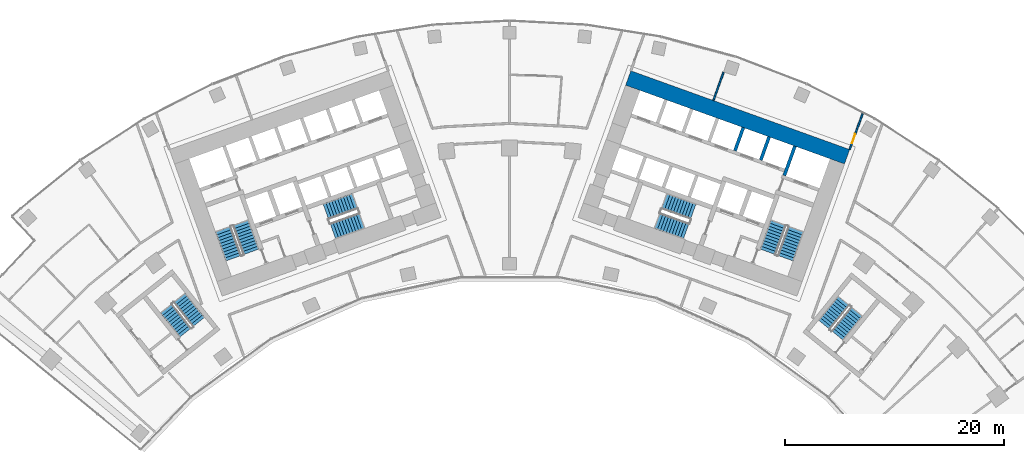
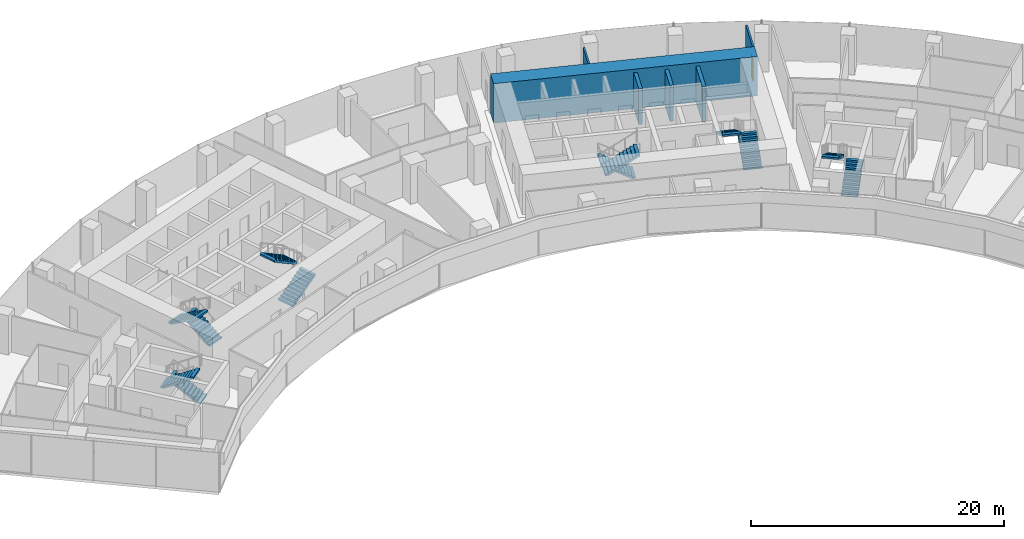
# One storey, part 18 of 20: 12 stair flights, 6 walls, 1 door, 1 opening, 6 elements without a shape of their own.
"""IFC4 building model written with IfcOpenShell, lengths in metres."""

from ifc_helpers import new_model, si_unit, direction, frame, frame_2d, origin, place, context, subcontext, project, spatial, polyline, rectangle, outline, extrude, material, layer, layer_set, type_object, element, fill, aggregate, save


model = new_model("IFC4")

# Units and contexts
model_context = context("Model", 3, precision=1e-05, world=origin(), true_north=direction((0.0, 1.0)))
body_context = subcontext(model_context, "Body", "Model", "MODEL_VIEW")
ifc_project = project(units=[si_unit("LENGTHUNIT", "METRE"), si_unit("AREAUNIT", "SQUARE_METRE"), si_unit("VOLUMEUNIT", "CUBIC_METRE"), si_unit("PLANEANGLEUNIT", "RADIAN"), si_unit("MASSUNIT", "GRAM", prefix="KILO")], contexts=[model_context])

# Site, building, storey
site_placement = place(None, origin())
site = spatial("IfcSite", under=ifc_project, at=site_placement, CompositionType="ELEMENT")
building_placement = place(site_placement, origin())
building = spatial("IfcBuilding", under=site, at=building_placement, Name="Stone Belt Terrace Tower", CompositionType="ELEMENT")
storey_placement = place(building_placement, frame((0.0, 0.0, 106.0)))
storey = spatial("IfcBuildingStorey", under=building, at=storey_placement, Name="L25", CompositionType="ELEMENT", Elevation=106.0)

# Walls
ifc_material_1 = material(Name="Concrete B80", Category="concrete")
ifc_layer_1 = layer(ifc_material_1, 1.39990234375)
ifc_layer_set_1 = layer_set([ifc_layer_1], Name="Core wall 1400 B80")
wall_type_1 = type_object("IfcWallType", Name="Core wall 1400 B80", PredefinedType="SHEAR", material=ifc_layer_set_1)
wall_1_placement = place(storey_placement, frame((10.81787109375, 61.362060546875, 0.0), z_axis=(0.0, 0.0, 1.0), x_axis=(0.940919704758, -0.338629752382, 0.0)))
element("IfcWall", 1, at=wall_1_placement, inside=storey, type_object=wall_type_1, Name="Core B wall convex L25", PredefinedType="SHEAR", context=body_context, shape_type="SweptSolid", body=[
    extrude(rectangle(XDim=21.199951171875, YDim=1.39990234375, at=frame_2d((10.60009765625, 0.0))), origin(), (0.0, 0.0, 1.0), 3.800048828125),
])
ifc_layer_2 = layer(ifc_material_1, 0.300048828125)
ifc_layer_set_2 = layer_set([ifc_layer_2], Name="Lift shaft wall 300")
wall_type_2 = type_object("IfcWallType", Name="Lift shaft wall 300", PredefinedType="SHEAR", material=ifc_layer_set_2)
wall_2_placement = place(storey_placement, frame((25.046875, 52.46826171875, 0.0), z_axis=(0.0, 0.0, 1.0), x_axis=(0.338549588058, 0.940948551423, 0.0)))
element("IfcWall", 2, at=wall_2_placement, inside=storey, type_object=wall_type_2, Name="Core B wall", PredefinedType="SHEAR", context=body_context, shape_type="SweptSolid", body=[
    extrude(rectangle(XDim=2.849853515625, YDim=0.300048828125, at=frame_2d((1.4248046875, 0.0))), origin(), (0.0, 0.0, 1.0), 3.47998046875),
])
wall_3_placement = place(storey_placement, frame((22.897705078125, 53.87939453125, 0.0), z_axis=(0.0, 0.0, 1.0), x_axis=(0.338535034312, 0.940953787677, 0.0)))
element("IfcWall", 3, at=wall_3_placement, inside=storey, type_object=wall_type_2, Name="Core B wall", PredefinedType="SHEAR", context=body_context, shape_type="SweptSolid", body=[
    extrude(rectangle(XDim=2.25, YDim=0.300048828125, at=frame_2d((1.125, 0.0))), origin(), (0.0, 0.0, 1.0), 3.47998046875),
])
wall_4_placement = place(storey_placement, frame((20.54541015625, 54.72607421875, 0.0), z_axis=(0.0, 0.0, 1.0), x_axis=(0.338569601369, 0.940941350472, 0.0)))
element("IfcWall", 4, at=wall_4_placement, inside=storey, type_object=wall_type_2, Name="Core B wall", PredefinedType="SHEAR", context=body_context, shape_type="SweptSolid", body=[
    extrude(rectangle(XDim=2.249755859375, YDim=0.300048828125, at=frame_2d((1.125, 0.0))), origin(), (0.0, 0.0, 1.0), 3.47998046875),
])

# Wall, opening, door
ifc_material_2 = material(Name="Gypsum board partition")
ifc_layer_3 = layer(ifc_material_2, 0.14990234375)
ifc_layer_set_3 = layer_set([ifc_layer_3], Name="PARTITION 150 EI 60")
wall_type_3 = type_object("IfcWallType", Name="PARTITION 150 EI 60", PredefinedType="PARTITIONING", material=ifc_layer_set_3)
wall_5_placement = place(storey_placement, frame((31.001953125, 54.842041015625, 0.0), z_axis=(0.0, 0.0, 1.0), x_axis=(0.338662585219, 0.940907887826, 0.0)))
wall_5 = element("IfcWall", 5, at=wall_5_placement, inside=storey, type_object=wall_type_3, Name="L25/wall/i019", PredefinedType="PARTITIONING", context=body_context, shape_type="SweptSolid", body=[
    extrude(rectangle(XDim=3.49560546875, YDim=0.14990234375, at=frame_2d((1.747802734375, 0.0))), origin(), (0.0, 0.0, 1.0), 3.47998046875),
])
opening_placement = place(wall_5_placement, frame((0.599365234375, 0.0, 0.0)))
opening = element("IfcOpeningElement", 6, at=opening_placement, cuts=wall_5, Name="Opening D-B3-08", PredefinedType="OPENING", context=body_context, shape_type="SweptSolid", body=[
    extrude(rectangle(XDim=0.89990234375, YDim=2.10009765625, at=frame_2d((0.449951171875, 1.050048828125))), frame((0.0, 0.0849609375, 0.0), z_axis=(0.0, -1.0, 0.0), x_axis=(1.0, 0.0, 0.0)), (0.0, 0.0, 1.0), 0.169921875),
])
ifc_material_3 = material(Name="Timber door leaf", Category="wood")
door_type = type_object("IfcDoorType", Name="OFFICE DOOR 900 X 2100", OperationType="NOTDEFINED", PredefinedType="DOOR", material=ifc_material_3)
door_placement = place(opening_placement, origin())
door = element("IfcDoor", 7, at=door_placement, inside=storey, type_object=door_type, Name="L25/door/i08", OperationType="SINGLE_SWING_LEFT", OverallHeight=2.10009765625, OverallWidth=0.89990234375, PredefinedType="DOOR", context=body_context, shape_type="SweptSolid", body=[
    extrude(rectangle(XDim=0.89990234375, YDim=2.10009765625, at=frame_2d((0.449951171875, 1.050048828125))), frame((0.0, 0.02490234375, 0.0), z_axis=(0.0, -1.0, 0.0), x_axis=(1.0, 0.0, 0.0)), (0.0, 0.0, 1.0), 0.050048828125),
])
fill(opening, door)

# Wall
wall_6_placement = place(storey_placement, frame((19.505859375, 61.885009765625, 0.0), z_axis=(0.0, 0.0, 1.0), x_axis=(-0.338672028619, -0.940904488793, 0.0)))
element("IfcWall", 8, at=wall_6_placement, inside=storey, type_object=wall_type_3, Name="L25/wall/i027", PredefinedType="PARTITIONING", context=body_context, shape_type="SweptSolid", body=[
    extrude(rectangle(XDim=2.733642578125, YDim=0.14990234375, at=frame_2d((1.36669921875, 0.0))), origin(), (0.0, 0.0, 1.0), 3.47998046875),
])

# Stair, stair flights
ifc_material_4 = material(Name="Concrete B40", Category="concrete")
stair_type = type_object("IfcStairType", Name="Exit stair 1500", PredefinedType="HALF_TURN_STAIR", material=ifc_material_4)
stair_1_placement = place(storey_placement, origin())
stair_1 = element("IfcStair", 9, at=stair_1_placement, inside=storey, type_object=stair_type, Name="L25 Exit stair 1 core A", PredefinedType="HALF_TURN_STAIR")
stair_flight_type = type_object("IfcStairFlightType", Name="Stair flight 1500", PredefinedType="STRAIGHT", material=ifc_material_4)
stair_flight_1_placement = place(storey_placement, frame((-23.55322265625, 45.51318359375, 0.0), z_axis=(0.0, 0.0, 1.0), x_axis=(-0.338624396177, 0.940921632398, 0.0)))
stair_flight_1 = element("IfcStairFlight", 10, at=stair_flight_1_placement, type_object=stair_flight_type, Name="ST1A flight 1", NumberOfRisers=11, NumberOfTreads=10, PredefinedType="STRAIGHT", RiserHeight=0.172727273, TreadLength=0.28, context=body_context, shape_type="SweptSolid", body=[
    extrude(outline(polyline([(0.0, 0.0), (0.0, 0.172607421875), (0.280029296875, 0.172607421875), (0.280029296875, 0.345458984375), (0.56005859375, 0.345458984375), (0.56005859375, 0.51806640625), (0.840087890625, 0.51806640625), (0.840087890625, 0.69091796875), (1.1201171875, 0.69091796875), (1.1201171875, 0.863525390625), (1.39990234375, 0.863525390625), (1.39990234375, 1.036376953125), (1.679931640625, 1.036376953125), (1.679931640625, 1.208984375), (1.9599609375, 1.208984375), (1.9599609375, 1.3818359375), (2.239990234375, 1.3818359375), (2.239990234375, 1.554443359375), (2.52001953125, 1.554443359375), (2.52001953125, 1.727294921875), (2.800048828125, 1.727294921875), (2.800048828125, 1.89990234375), (2.800048828125, 1.551025390625), (0.285400390625, 0.0), (0.0, 0.0)])), frame((0.0, 0.75, 0.0), z_axis=(0.0, -1.0, 0.0), x_axis=(1.0, 0.0, 0.0)), (0.0, 0.0, 1.0), 1.5),
])
stair_flight_2_placement = place(storey_placement, frame((-26.10107421875, 47.572021484375, 1.89990234375), z_axis=(0.0, 0.0, 1.0), x_axis=(0.338624396177, -0.940921632398, 0.0)))
stair_flight_2 = element("IfcStairFlight", 11, at=stair_flight_2_placement, type_object=stair_flight_type, Name="ST1A flight 2", NumberOfRisers=11, NumberOfTreads=10, PredefinedType="STRAIGHT", RiserHeight=0.172727273, TreadLength=0.28, context=body_context, shape_type="SweptSolid", body=[
    extrude(outline(polyline([(0.0, 0.0), (0.0, 0.172607421875), (0.280029296875, 0.172607421875), (0.280029296875, 0.345458984375), (0.56005859375, 0.345458984375), (0.56005859375, 0.51806640625), (0.840087890625, 0.51806640625), (0.840087890625, 0.69091796875), (1.1201171875, 0.69091796875), (1.1201171875, 0.863525390625), (1.39990234375, 0.863525390625), (1.39990234375, 1.036376953125), (1.679931640625, 1.036376953125), (1.679931640625, 1.208984375), (1.9599609375, 1.208984375), (1.9599609375, 1.3818359375), (2.239990234375, 1.3818359375), (2.239990234375, 1.554443359375), (2.52001953125, 1.554443359375), (2.52001953125, 1.727294921875), (2.800048828125, 1.727294921875), (2.800048828125, 1.89990234375), (2.800048828125, 1.551025390625), (0.285400390625, 0.0), (0.0, 0.0)])), frame((0.0, 0.75, 0.0), z_axis=(0.0, -1.0, 0.0), x_axis=(1.0, 0.0, 0.0)), (0.0, 0.0, 1.0), 1.5),
])
aggregate(stair_1, [stair_flight_1, stair_flight_2])

stair_2_placement = place(storey_placement, origin())
stair_2 = element("IfcStair", 12, at=stair_2_placement, inside=storey, type_object=stair_type, Name="L25 Exit stair 2 core A", PredefinedType="HALF_TURN_STAIR")
stair_flight_3_placement = place(storey_placement, frame((-16.101318359375, 47.39794921875, 0.0), z_axis=(0.0, 0.0, 1.0), x_axis=(0.940921632398, 0.338624396177, 0.0)))
stair_flight_3 = element("IfcStairFlight", 13, at=stair_flight_3_placement, type_object=stair_flight_type, Name="ST2A flight 1", NumberOfRisers=11, NumberOfTreads=10, PredefinedType="STRAIGHT", RiserHeight=0.172727273, TreadLength=0.28, context=body_context, shape_type="SweptSolid", body=[
    extrude(outline(polyline([(0.0, 0.0), (0.0, 0.172607421875), (0.280029296875, 0.172607421875), (0.280029296875, 0.345458984375), (0.56005859375, 0.345458984375), (0.56005859375, 0.51806640625), (0.840087890625, 0.51806640625), (0.840087890625, 0.69091796875), (1.1201171875, 0.69091796875), (1.1201171875, 0.863525390625), (1.39990234375, 0.863525390625), (1.39990234375, 1.036376953125), (1.679931640625, 1.036376953125), (1.679931640625, 1.208984375), (1.9599609375, 1.208984375), (1.9599609375, 1.3818359375), (2.239990234375, 1.3818359375), (2.239990234375, 1.554443359375), (2.52001953125, 1.554443359375), (2.52001953125, 1.727294921875), (2.800048828125, 1.727294921875), (2.800048828125, 1.89990234375), (2.800048828125, 1.551025390625), (0.285400390625, 0.0), (0.0, 0.0)])), frame((0.0, 0.75, 0.0), z_axis=(0.0, -1.0, 0.0), x_axis=(1.0, 0.0, 0.0)), (0.0, 0.0, 1.0), 1.5),
])
stair_flight_4_placement = place(storey_placement, frame((-14.110107421875, 50.1337890625, 1.89990234375), z_axis=(0.0, 0.0, 1.0), x_axis=(-0.940921632398, -0.338624396177, 0.0)))
stair_flight_4 = element("IfcStairFlight", 14, at=stair_flight_4_placement, type_object=stair_flight_type, Name="ST2A flight 2", NumberOfRisers=11, NumberOfTreads=10, PredefinedType="STRAIGHT", RiserHeight=0.172727273, TreadLength=0.28, context=body_context, shape_type="SweptSolid", body=[
    extrude(outline(polyline([(0.0, 0.0), (0.0, 0.172607421875), (0.280029296875, 0.172607421875), (0.280029296875, 0.345458984375), (0.56005859375, 0.345458984375), (0.56005859375, 0.51806640625), (0.840087890625, 0.51806640625), (0.840087890625, 0.69091796875), (1.1201171875, 0.69091796875), (1.1201171875, 0.863525390625), (1.39990234375, 0.863525390625), (1.39990234375, 1.036376953125), (1.679931640625, 1.036376953125), (1.679931640625, 1.208984375), (1.9599609375, 1.208984375), (1.9599609375, 1.3818359375), (2.239990234375, 1.3818359375), (2.239990234375, 1.554443359375), (2.52001953125, 1.554443359375), (2.52001953125, 1.727294921875), (2.800048828125, 1.727294921875), (2.800048828125, 1.89990234375), (2.800048828125, 1.551025390625), (0.285400390625, 0.0), (0.0, 0.0)])), frame((0.0, 0.75, 0.0), z_axis=(0.0, -1.0, 0.0), x_axis=(1.0, 0.0, 0.0)), (0.0, 0.0, 1.0), 1.5),
])
aggregate(stair_2, [stair_flight_3, stair_flight_4])

stair_3_placement = place(storey_placement, origin())
stair_3 = element("IfcStair", 15, at=stair_3_placement, inside=storey, type_object=stair_type, Name="L25 Exit stair 1 core B", PredefinedType="HALF_TURN_STAIR")
stair_flight_5_placement = place(storey_placement, frame((25.15283203125, 44.9375, 0.0), z_axis=(0.0, 0.0, 1.0), x_axis=(0.338624396177, 0.940921632398, 0.0)))
stair_flight_5 = element("IfcStairFlight", 16, at=stair_flight_5_placement, type_object=stair_flight_type, Name="ST1B flight 1", NumberOfRisers=11, NumberOfTreads=10, PredefinedType="STRAIGHT", RiserHeight=0.172727273, TreadLength=0.28, context=body_context, shape_type="SweptSolid", body=[
    extrude(outline(polyline([(0.0, 0.0), (0.0, 0.172607421875), (0.280029296875, 0.172607421875), (0.280029296875, 0.345458984375), (0.56005859375, 0.345458984375), (0.56005859375, 0.51806640625), (0.840087890625, 0.51806640625), (0.840087890625, 0.69091796875), (1.1201171875, 0.69091796875), (1.1201171875, 0.863525390625), (1.39990234375, 0.863525390625), (1.39990234375, 1.036376953125), (1.679931640625, 1.036376953125), (1.679931640625, 1.208984375), (1.9599609375, 1.208984375), (1.9599609375, 1.3818359375), (2.239990234375, 1.3818359375), (2.239990234375, 1.554443359375), (2.52001953125, 1.554443359375), (2.52001953125, 1.727294921875), (2.800048828125, 1.727294921875), (2.800048828125, 1.89990234375), (2.800048828125, 1.551025390625), (0.285400390625, 0.0), (0.0, 0.0)])), frame((0.0, 0.75, 0.0), z_axis=(0.0, -1.0, 0.0), x_axis=(1.0, 0.0, 0.0)), (0.0, 0.0, 1.0), 1.5),
])
stair_flight_6_placement = place(storey_placement, frame((24.50146484375, 48.147705078125, 1.89990234375), z_axis=(0.0, 0.0, 1.0), x_axis=(-0.338624396177, -0.940921632398, 0.0)))
stair_flight_6 = element("IfcStairFlight", 17, at=stair_flight_6_placement, type_object=stair_flight_type, Name="ST1B flight 2", NumberOfRisers=11, NumberOfTreads=10, PredefinedType="STRAIGHT", RiserHeight=0.172727273, TreadLength=0.28, context=body_context, shape_type="SweptSolid", body=[
    extrude(outline(polyline([(0.0, 0.0), (0.0, 0.172607421875), (0.280029296875, 0.172607421875), (0.280029296875, 0.345458984375), (0.56005859375, 0.345458984375), (0.56005859375, 0.51806640625), (0.840087890625, 0.51806640625), (0.840087890625, 0.69091796875), (1.1201171875, 0.69091796875), (1.1201171875, 0.863525390625), (1.39990234375, 0.863525390625), (1.39990234375, 1.036376953125), (1.679931640625, 1.036376953125), (1.679931640625, 1.208984375), (1.9599609375, 1.208984375), (1.9599609375, 1.3818359375), (2.239990234375, 1.3818359375), (2.239990234375, 1.554443359375), (2.52001953125, 1.554443359375), (2.52001953125, 1.727294921875), (2.800048828125, 1.727294921875), (2.800048828125, 1.89990234375), (2.800048828125, 1.551025390625), (0.285400390625, 0.0), (0.0, 0.0)])), frame((0.0, 0.75, 0.0), z_axis=(0.0, -1.0, 0.0), x_axis=(1.0, 0.0, 0.0)), (0.0, 0.0, 1.0), 1.5),
])
aggregate(stair_3, [stair_flight_5, stair_flight_6])

stair_4_placement = place(storey_placement, origin())
stair_4 = element("IfcStair", 18, at=stair_4_placement, inside=storey, type_object=stair_type, Name="L25 Exit stair 2 core B", PredefinedType="HALF_TURN_STAIR")
stair_flight_7_placement = place(storey_placement, frame((16.74462890625, 49.185546875, 0.0), z_axis=(0.0, 0.0, 1.0), x_axis=(-0.940921632398, 0.338624396177, 0.0)))
stair_flight_7 = element("IfcStairFlight", 19, at=stair_flight_7_placement, type_object=stair_flight_type, Name="ST2B flight 1", NumberOfRisers=11, NumberOfTreads=10, PredefinedType="STRAIGHT", RiserHeight=0.172727273, TreadLength=0.28, context=body_context, shape_type="SweptSolid", body=[
    extrude(outline(polyline([(0.0, 0.0), (0.0, 0.172607421875), (0.280029296875, 0.172607421875), (0.280029296875, 0.345458984375), (0.56005859375, 0.345458984375), (0.56005859375, 0.51806640625), (0.840087890625, 0.51806640625), (0.840087890625, 0.69091796875), (1.1201171875, 0.69091796875), (1.1201171875, 0.863525390625), (1.39990234375, 0.863525390625), (1.39990234375, 1.036376953125), (1.679931640625, 1.036376953125), (1.679931640625, 1.208984375), (1.9599609375, 1.208984375), (1.9599609375, 1.3818359375), (2.239990234375, 1.3818359375), (2.239990234375, 1.554443359375), (2.52001953125, 1.554443359375), (2.52001953125, 1.727294921875), (2.800048828125, 1.727294921875), (2.800048828125, 1.89990234375), (2.800048828125, 1.551025390625), (0.285400390625, 0.0), (0.0, 0.0)])), frame((0.0, 0.75, 0.0), z_axis=(0.0, -1.0, 0.0), x_axis=(1.0, 0.0, 0.0)), (0.0, 0.0, 1.0), 1.5),
])
stair_flight_8_placement = place(storey_placement, frame((13.466796875, 48.345947265625, 1.89990234375), z_axis=(0.0, 0.0, 1.0), x_axis=(0.940921632398, -0.338624396177, 0.0)))
stair_flight_8 = element("IfcStairFlight", 20, at=stair_flight_8_placement, type_object=stair_flight_type, Name="ST2B flight 2", NumberOfRisers=11, NumberOfTreads=10, PredefinedType="STRAIGHT", RiserHeight=0.172727273, TreadLength=0.28, context=body_context, shape_type="SweptSolid", body=[
    extrude(outline(polyline([(0.0, 0.0), (0.0, 0.172607421875), (0.280029296875, 0.172607421875), (0.280029296875, 0.345458984375), (0.56005859375, 0.345458984375), (0.56005859375, 0.51806640625), (0.840087890625, 0.51806640625), (0.840087890625, 0.69091796875), (1.1201171875, 0.69091796875), (1.1201171875, 0.863525390625), (1.39990234375, 0.863525390625), (1.39990234375, 1.036376953125), (1.679931640625, 1.036376953125), (1.679931640625, 1.208984375), (1.9599609375, 1.208984375), (1.9599609375, 1.3818359375), (2.239990234375, 1.3818359375), (2.239990234375, 1.554443359375), (2.52001953125, 1.554443359375), (2.52001953125, 1.727294921875), (2.800048828125, 1.727294921875), (2.800048828125, 1.89990234375), (2.800048828125, 1.551025390625), (0.285400390625, 0.0), (0.0, 0.0)])), frame((0.0, 0.75, 0.0), z_axis=(0.0, -1.0, 0.0), x_axis=(1.0, 0.0, 0.0)), (0.0, 0.0, 1.0), 1.5),
])
aggregate(stair_4, [stair_flight_7, stair_flight_8])

stair_5_placement = place(storey_placement, origin())
stair_5 = element("IfcStair", 21, at=stair_5_placement, inside=storey, type_object=stair_type, Name="L25 Exit stair 3A", PredefinedType="HALF_TURN_STAIR")
stair_flight_9_placement = place(storey_placement, frame((-28.325439453125, 39.1240234375, 0.0), z_axis=(0.0, 0.0, 1.0), x_axis=(-0.623121363691, 0.782125160132, 0.0)))
stair_flight_9 = element("IfcStairFlight", 22, at=stair_flight_9_placement, type_object=stair_flight_type, Name="ST3A flight 1", NumberOfRisers=11, NumberOfTreads=10, PredefinedType="STRAIGHT", RiserHeight=0.172727273, TreadLength=0.28, context=body_context, shape_type="SweptSolid", body=[
    extrude(outline(polyline([(0.0, 0.0), (0.0, 0.172607421875), (0.280029296875, 0.172607421875), (0.280029296875, 0.345458984375), (0.56005859375, 0.345458984375), (0.56005859375, 0.51806640625), (0.840087890625, 0.51806640625), (0.840087890625, 0.69091796875), (1.1201171875, 0.69091796875), (1.1201171875, 0.863525390625), (1.39990234375, 0.863525390625), (1.39990234375, 1.036376953125), (1.679931640625, 1.036376953125), (1.679931640625, 1.208984375), (1.9599609375, 1.208984375), (1.9599609375, 1.3818359375), (2.239990234375, 1.3818359375), (2.239990234375, 1.554443359375), (2.52001953125, 1.554443359375), (2.52001953125, 1.727294921875), (2.800048828125, 1.727294921875), (2.800048828125, 1.89990234375), (2.800048828125, 1.551025390625), (0.285400390625, 0.0), (0.0, 0.0)])), frame((0.0, 0.675048828125, 0.0), z_axis=(0.0, -1.0, 0.0), x_axis=(1.0, 0.0, 0.0)), (0.0, 0.0, 1.0), 1.35009765625),
])
stair_flight_10_placement = place(storey_placement, frame((-31.282470703125, 40.34814453125, 1.89990234375), z_axis=(0.0, 0.0, 1.0), x_axis=(0.623121363691, -0.782125160132, 0.0)))
stair_flight_10 = element("IfcStairFlight", 23, at=stair_flight_10_placement, type_object=stair_flight_type, Name="ST3A flight 2", NumberOfRisers=11, NumberOfTreads=10, PredefinedType="STRAIGHT", RiserHeight=0.172727273, TreadLength=0.28, context=body_context, shape_type="SweptSolid", body=[
    extrude(outline(polyline([(0.0, 0.0), (0.0, 0.172607421875), (0.280029296875, 0.172607421875), (0.280029296875, 0.345458984375), (0.56005859375, 0.345458984375), (0.56005859375, 0.51806640625), (0.840087890625, 0.51806640625), (0.840087890625, 0.69091796875), (1.1201171875, 0.69091796875), (1.1201171875, 0.863525390625), (1.39990234375, 0.863525390625), (1.39990234375, 1.036376953125), (1.679931640625, 1.036376953125), (1.679931640625, 1.208984375), (1.9599609375, 1.208984375), (1.9599609375, 1.3818359375), (2.239990234375, 1.3818359375), (2.239990234375, 1.554443359375), (2.52001953125, 1.554443359375), (2.52001953125, 1.727294921875), (2.800048828125, 1.727294921875), (2.800048828125, 1.89990234375), (2.800048828125, 1.551025390625), (0.285400390625, 0.0), (0.0, 0.0)])), frame((0.0, 0.675048828125, 0.0), z_axis=(0.0, -1.0, 0.0), x_axis=(1.0, 0.0, 0.0)), (0.0, 0.0, 1.0), 1.35009765625),
])
aggregate(stair_5, [stair_flight_9, stair_flight_10])

stair_6_placement = place(storey_placement, origin())
stair_6 = element("IfcStair", 24, at=stair_6_placement, inside=storey, type_object=stair_type, Name="L25 Exit stair 3B", PredefinedType="HALF_TURN_STAIR")
stair_flight_11_placement = place(storey_placement, frame((29.88330078125, 37.887939453125, 0.0), z_axis=(0.0, 0.0, 1.0), x_axis=(0.630205749599, 0.776428176441, 0.0)))
stair_flight_11 = element("IfcStairFlight", 25, at=stair_flight_11_placement, type_object=stair_flight_type, Name="ST3B flight 1", NumberOfRisers=11, NumberOfTreads=10, PredefinedType="STRAIGHT", RiserHeight=0.172727273, TreadLength=0.28, context=body_context, shape_type="SweptSolid", body=[
    extrude(outline(polyline([(0.0, 0.0), (0.0, 0.172607421875), (0.280029296875, 0.172607421875), (0.280029296875, 0.345458984375), (0.56005859375, 0.345458984375), (0.56005859375, 0.51806640625), (0.840087890625, 0.51806640625), (0.840087890625, 0.69091796875), (1.1201171875, 0.69091796875), (1.1201171875, 0.863525390625), (1.39990234375, 0.863525390625), (1.39990234375, 1.036376953125), (1.679931640625, 1.036376953125), (1.679931640625, 1.208984375), (1.9599609375, 1.208984375), (1.9599609375, 1.3818359375), (2.239990234375, 1.3818359375), (2.239990234375, 1.554443359375), (2.52001953125, 1.554443359375), (2.52001953125, 1.727294921875), (2.800048828125, 1.727294921875), (2.800048828125, 1.89990234375), (2.800048828125, 1.551025390625), (0.285400390625, 0.0), (0.0, 0.0)])), frame((0.0, 0.675048828125, 0.0), z_axis=(0.0, -1.0, 0.0), x_axis=(1.0, 0.0, 0.0)), (0.0, 0.0, 1.0), 1.35009765625),
])
stair_flight_12_placement = place(storey_placement, frame((30.4443359375, 41.038818359375, 1.89990234375), z_axis=(0.0, 0.0, 1.0), x_axis=(-0.630205749599, -0.776428176441, 0.0)))
stair_flight_12 = element("IfcStairFlight", 26, at=stair_flight_12_placement, type_object=stair_flight_type, Name="ST3B flight 2", NumberOfRisers=11, NumberOfTreads=10, PredefinedType="STRAIGHT", RiserHeight=0.172727273, TreadLength=0.28, context=body_context, shape_type="SweptSolid", body=[
    extrude(outline(polyline([(0.0, 0.0), (0.0, 0.172607421875), (0.280029296875, 0.172607421875), (0.280029296875, 0.345458984375), (0.56005859375, 0.345458984375), (0.56005859375, 0.51806640625), (0.840087890625, 0.51806640625), (0.840087890625, 0.69091796875), (1.1201171875, 0.69091796875), (1.1201171875, 0.863525390625), (1.39990234375, 0.863525390625), (1.39990234375, 1.036376953125), (1.679931640625, 1.036376953125), (1.679931640625, 1.208984375), (1.9599609375, 1.208984375), (1.9599609375, 1.3818359375), (2.239990234375, 1.3818359375), (2.239990234375, 1.554443359375), (2.52001953125, 1.554443359375), (2.52001953125, 1.727294921875), (2.800048828125, 1.727294921875), (2.800048828125, 1.89990234375), (2.800048828125, 1.551025390625), (0.285400390625, 0.0), (0.0, 0.0)])), frame((0.0, 0.675048828125, 0.0), z_axis=(0.0, -1.0, 0.0), x_axis=(1.0, 0.0, 0.0)), (0.0, 0.0, 1.0), 1.35009765625),
])
aggregate(stair_6, [stair_flight_11, stair_flight_12])

save(model, "model.ifc")
